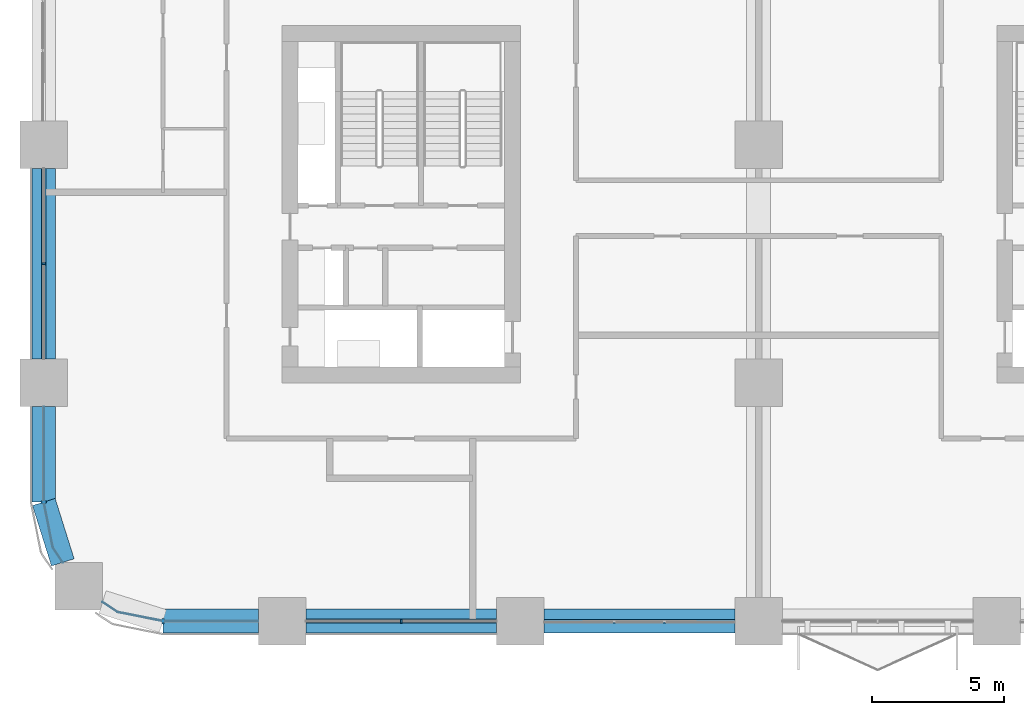
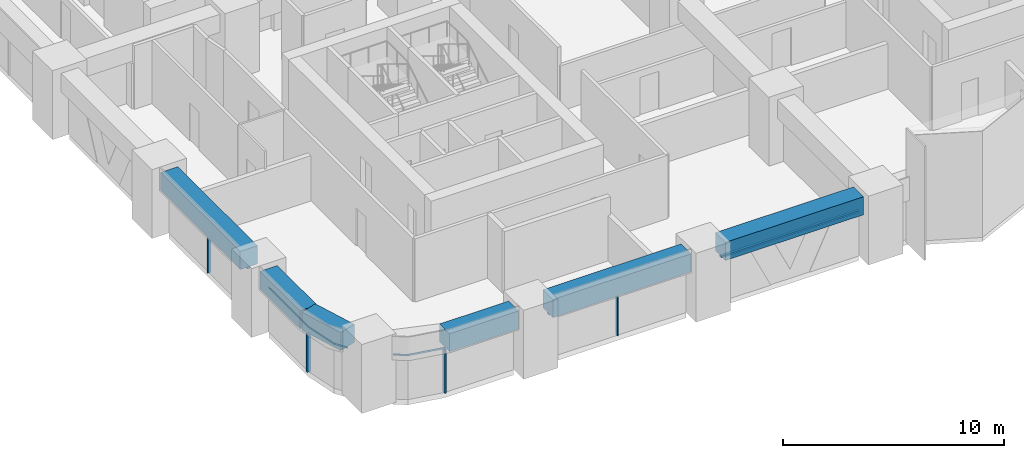
# One storey, part 2 of 22: 9 members, 6 beams, 5 elements without a shape of their own.
"""IFC4 building model written with IfcOpenShell, lengths in metres."""

from ifc_helpers import new_model, si_unit, direction, frame, origin, origin_2d, place, context, subcontext, project, spatial, polyline, rectangle, outline, extrude, material, material_profile, profile_set, type_object, element, aggregate, save


model = new_model("IFC4")

# Units and contexts
model_context = context("Model", 3, precision=1e-05, world=origin(), true_north=direction((0.0, 1.0)))
body_context = subcontext(model_context, "Body", "Model", "MODEL_VIEW")
ifc_project = project(units=[si_unit("LENGTHUNIT", "METRE"), si_unit("AREAUNIT", "SQUARE_METRE"), si_unit("VOLUMEUNIT", "CUBIC_METRE"), si_unit("PLANEANGLEUNIT", "RADIAN"), si_unit("MASSUNIT", "GRAM", prefix="KILO")], contexts=[model_context])

# Site, building, storey
site_placement = place(None, origin())
site = spatial("IfcSite", under=ifc_project, at=site_placement, CompositionType="ELEMENT")
building_placement = place(site_placement, origin())
building = spatial("IfcBuilding", under=site, at=building_placement, Name="Tessera Arch", CompositionType="ELEMENT")
storey_placement = place(building_placement, frame((0.0, 0.0, 53.800048828125)))
storey = spatial("IfcBuildingStorey", under=building, at=storey_placement, Name="L11", CompositionType="ELEMENT", Elevation=53.800048828125)

# Curtain wall, member
ifc_material_1 = material(Name="CW1 curtain wall")
curtain_wall_type_1 = type_object("IfcCurtainWallType", Name="CW1 curtain wall", PredefinedType="NOTDEFINED", material=ifc_material_1)
curtain_wall_1_placement = place(storey_placement, origin())
curtain_wall_1 = element("IfcCurtainWall", 1, at=curtain_wall_1_placement, inside=storey, type_object=curtain_wall_type_1, Name="CW1 curtain wall S0.0/0 L11", PredefinedType="NOTDEFINED")
ifc_material_2 = material(Name="Anodised aluminium pale metal", Category="aluminium")
ifc_material_profile_1 = material_profile(ifc_material_2, rectangle(XDim=0.159912109375, YDim=0.06005859375, at=origin_2d()), Name="AL 60x160")
ifc_profile_set_1 = profile_set([ifc_material_profile_1], Name="Anodised aluminium pale metal")
member_type_1 = type_object("IfcMemberType", Name="CW1 mullion", PredefinedType="MULLION", material=ifc_profile_set_1)
member_1_placement = place(storey_placement, frame((13.5, 0.0, 0.0), z_axis=(0.0, 0.0, 1.0), x_axis=(0.0, 1.0, 0.0)))
member_1 = element("IfcMember", 2, at=member_1_placement, type_object=member_type_1, Name="CW1 mullion S0.0/0 1", PredefinedType="MULLION", context=body_context, shape_type="SweptSolid", body=[
    extrude(rectangle(XDim=0.159912109375, YDim=0.06005859375, at=origin_2d()), origin(), (0.0, 0.0, 1.0), 2.39990234375),
])

curtain_wall_2_placement = place(storey_placement, origin())
curtain_wall_2 = element("IfcCurtainWall", 3, at=curtain_wall_2_placement, inside=storey, type_object=curtain_wall_type_1, Name="CW1 curtain wall W0.0/4 L11", PredefinedType="NOTDEFINED")
member_2_placement = place(storey_placement, frame((0.0, 13.5, 0.0), z_axis=(0.0, 0.0, 1.0), x_axis=(1.0, 0.0, 0.0)))
member_2 = element("IfcMember", 4, at=member_2_placement, type_object=member_type_1, Name="CW1 mullion W0.0/4 1", PredefinedType="MULLION", context=body_context, shape_type="SweptSolid", body=[
    extrude(rectangle(XDim=0.159912109375, YDim=0.06005859375, at=origin_2d()), origin(), (0.0, 0.0, 1.0), 2.39990234375),
])

# Member
ifc_material_3 = material(Name="Anodised aluminium pale metal", Category="aluminium")
ifc_material_profile_2 = material_profile(ifc_material_3, rectangle(XDim=0.159912109375, YDim=0.10009765625, at=origin_2d()), Name="AL 160x100")
ifc_profile_set_2 = profile_set([ifc_material_profile_2], Name="Anodised aluminium pale metal")
member_type_2 = type_object("IfcMemberType", Name="CW1 transom", PredefinedType="USERDEFINED", material=ifc_profile_set_2)
member_3_placement = place(storey_placement, frame((9.89990234375, 0.0, 2.449951171875), z_axis=(1.0, 0.0, 0.0), x_axis=(0.0, 1.0, 0.0)))
member_3 = element("IfcMember", 5, at=member_3_placement, type_object=member_type_2, Name="CW1 transom S0.0/0 1.1", ObjectType="TRANSOM", PredefinedType="USERDEFINED", context=body_context, shape_type="SweptSolid", body=[
    extrude(rectangle(XDim=0.159912109375, YDim=0.10009765625, at=origin_2d()), origin(), (0.0, 0.0, 1.0), 7.2001953125),
])

aggregate(curtain_wall_1, [member_1, member_3])

member_4_placement = place(storey_placement, frame((0.0, 17.10009765625, 2.449951171875), z_axis=(0.0, -1.0, 0.0), x_axis=(1.0, 0.0, 0.0)))
member_4 = element("IfcMember", 6, at=member_4_placement, type_object=member_type_2, Name="CW1 transom W0.0/4 1.1", ObjectType="TRANSOM", PredefinedType="USERDEFINED", context=body_context, shape_type="SweptSolid", body=[
    extrude(rectangle(XDim=0.159912109375, YDim=0.10009765625, at=origin_2d()), origin(), (0.0, 0.0, 1.0), 7.2001953125),
])

aggregate(curtain_wall_2, [member_2, member_4])

# Curtain wall, member
ifc_material_4 = material(Name="CW2 curtain wall")
curtain_wall_type_2 = type_object("IfcCurtainWallType", Name="CW2 curtain wall", PredefinedType="NOTDEFINED", material=ifc_material_4)
curtain_wall_3_placement = place(storey_placement, origin())
curtain_wall_3 = element("IfcCurtainWall", 7, at=curtain_wall_3_placement, inside=storey, type_object=curtain_wall_type_2, Name="CW2 curtain wall W0.0/5 L11", PredefinedType="NOTDEFINED")
ifc_material_5 = material(Name="Anodised aluminium pale metal", Category="aluminium")
ifc_material_profile_3 = material_profile(ifc_material_5, rectangle(XDim=0.199951171875, YDim=0.080078125, at=origin_2d()), Name="AL 80x200")
ifc_profile_set_3 = profile_set([ifc_material_profile_3], Name="Anodised aluminium pale metal")
member_type_3 = type_object("IfcMemberType", Name="CW2 mullion", PredefinedType="MULLION", material=ifc_profile_set_3)
member_5_placement = place(storey_placement, frame((0.0, 4.5, 0.0), z_axis=(0.0, 0.0, 1.0), x_axis=(1.0, 0.0, 0.0)))
member_5 = element("IfcMember", 8, at=member_5_placement, type_object=member_type_3, Name="CW2 mullion W0.0/5 1", PredefinedType="MULLION", context=body_context, shape_type="SweptSolid", body=[
    extrude(rectangle(XDim=0.199951171875, YDim=0.080078125, at=origin_2d()), origin(), (0.0, 0.0, 1.0), 2.39990234375),
])

curtain_wall_4_placement = place(storey_placement, origin())
curtain_wall_4 = element("IfcCurtainWall", 9, at=curtain_wall_4_placement, inside=storey, type_object=curtain_wall_type_2, Name="CW2 curtain wall S0.0/5 L11", PredefinedType="NOTDEFINED")
member_6_placement = place(storey_placement, frame((4.5, 0.0, 0.0), z_axis=(0.0, 0.0, 1.0), x_axis=(0.0, 1.0, 0.0)))
member_6 = element("IfcMember", 10, at=member_6_placement, type_object=member_type_3, Name="CW2 mullion S0.0/5 1", PredefinedType="MULLION", context=body_context, shape_type="SweptSolid", body=[
    extrude(rectangle(XDim=0.199951171875, YDim=0.080078125, at=origin_2d()), origin(), (0.0, 0.0, 1.0), 2.39990234375),
])

# Member
ifc_material_6 = material(Name="Anodised aluminium pale metal", Category="aluminium")
ifc_material_profile_4 = material_profile(ifc_material_6, rectangle(XDim=0.199951171875, YDim=0.10009765625, at=origin_2d()), Name="AL 200x100")
ifc_profile_set_4 = profile_set([ifc_material_profile_4], Name="Anodised aluminium pale metal")
member_type_4 = type_object("IfcMemberType", Name="CW2 transom", PredefinedType="USERDEFINED", material=ifc_profile_set_4)
member_7_placement = place(storey_placement, frame((0.0, 0.0, 2.39990234375)))
member_7 = element("IfcMember", 11, at=member_7_placement, type_object=member_type_4, Name="CW2 transom W0.0/5 1", ObjectType="TRANSOM", PredefinedType="USERDEFINED", context=body_context, shape_type="SweptSolid", body=[
    extrude(outline(polyline([(0.010009765625, 4.5009765625), (0.010009765625, 8.10009765625), (-0.010009765625, 8.10009765625), (-0.010009765625, 4.4990234375), (0.3330078125, 2.77392578125), (0.70849609375, 2.21240234375), (0.72509765625, 2.2236328125), (0.351806640625, 2.78173828125), (0.010009765625, 4.5009765625)])), origin(), (0.0, 0.0, 1.0), 0.10009765625),
])

aggregate(curtain_wall_3, [member_5, member_7])

member_8_placement = place(storey_placement, frame((0.0, 0.0, 2.39990234375)))
member_8 = element("IfcMember", 12, at=member_8_placement, type_object=member_type_4, Name="CW2 transom S0.0/5 1", ObjectType="TRANSOM", PredefinedType="USERDEFINED", context=body_context, shape_type="SweptSolid", body=[
    extrude(outline(polyline([(2.78173828125, 0.351806640625), (2.2236328125, 0.72509765625), (2.21240234375, 0.70849609375), (2.77392578125, 0.3330078125), (4.4990234375, -0.010009765625), (8.10009765625, -0.010009765625), (8.10009765625, 0.010009765625), (4.5009765625, 0.010009765625), (2.78173828125, 0.351806640625)])), origin(), (0.0, 0.0, 1.0), 0.10009765625),
])

aggregate(curtain_wall_4, [member_6, member_8])

# Curtain wall, member
ifc_material_7 = material(Name="CW3 curtain wall")
curtain_wall_type_3 = type_object("IfcCurtainWallType", Name="CW3 curtain wall", PredefinedType="NOTDEFINED", material=ifc_material_7)
curtain_wall_5_placement = place(storey_placement, origin())
curtain_wall_5 = element("IfcCurtainWall", 13, at=curtain_wall_5_placement, inside=storey, type_object=curtain_wall_type_3, Name="CW3 curtain wall S0.0/1 L11", PredefinedType="NOTDEFINED")
ifc_material_8 = material(Name="Anodised aluminium pale metal", Category="aluminium")
ifc_material_profile_5 = material_profile(ifc_material_8, rectangle(XDim=0.139892578125, YDim=0.10009765625, at=origin_2d()), Name="AL 140x100")
ifc_profile_set_5 = profile_set([ifc_material_profile_5], Name="Anodised aluminium pale metal")
member_type_5 = type_object("IfcMemberType", Name="CW3 transom", PredefinedType="USERDEFINED", material=ifc_profile_set_5)
member_9_placement = place(storey_placement, frame((18.89990234375, 0.0, 2.449951171875), z_axis=(1.0, 0.0, 0.0), x_axis=(0.0, 1.0, 0.0)))
member_9 = element("IfcMember", 14, at=member_9_placement, type_object=member_type_5, Name="CW3 transom S0.0/1 1.1", ObjectType="TRANSOM", PredefinedType="USERDEFINED", context=body_context, shape_type="SweptSolid", body=[
    extrude(rectangle(XDim=0.139892578125, YDim=0.10009765625, at=origin_2d()), origin(), (0.0, 0.0, 1.0), 7.2001953125),
])
aggregate(curtain_wall_5, [member_9])

# Beams
ifc_material_9 = material(Name="Concrete C80/95", Category="concrete")
ifc_material_profile_6 = material_profile(ifc_material_9, rectangle(XDim=0.89990234375, YDim=1.0, at=origin_2d()), Name="RC spandrel beam 900 x 1000 Concrete C80/95")
ifc_profile_set_6 = profile_set([ifc_material_profile_6], Name="Concrete C80/95")
beam_type = type_object("IfcBeamType", Name="RC spandrel beam 900 x 1000 Concrete C80/95", PredefinedType="BEAM", material=ifc_profile_set_6)
for number, where, z_axis, x_axis, name in (
    (15, (9.89990234375, 0.0, 3.0), (1.0, 0.0, 0.0), (0.0, 1.0, 0.0), "Spandrel beam L11 S0.0/0"),
    (16, (18.89990234375, 0.0, 3.0), (1.0, 0.0, 0.0), (0.0, 1.0, 0.0), "Spandrel beam L11 S0.0/1"),
    (17, (0.0, 17.10009765625, 3.0), (0.0, -1.0, 0.0), (1.0, 0.0, 0.0), "Spandrel beam L11 W0.0/4"),
):
    element("IfcBeam", number, at=place(storey_placement, frame(where, z_axis=z_axis, x_axis=x_axis)), inside=storey, type_object=beam_type, Name=name, PredefinedType="BEAM", context=body_context, shape_type="SweptSolid", body=[
        extrude(rectangle(XDim=0.89990234375, YDim=1.0, at=origin_2d()), origin(), (0.0, 0.0, 1.0), 7.2001953125),
    ])
beam_1_placement = place(storey_placement, frame((0.0, 8.10009765625, 3.0), z_axis=(0.0, -1.0, 0.0), x_axis=(1.0, 0.0, 0.0)))
element("IfcBeam", 18, at=beam_1_placement, inside=storey, type_object=beam_type, Name="Spandrel beam L11 W0.0/5.1", PredefinedType="BEAM", context=body_context, shape_type="SweptSolid", body=[
    extrude(rectangle(XDim=0.89990234375, YDim=1.0, at=origin_2d()), origin(), (0.0, 0.0, 1.0), 3.60009765625),
])
beam_2_placement = place(storey_placement, frame((0.0, 4.5, 3.0), z_axis=(0.299675309057, -0.954041251279, 0.0), x_axis=(0.954041251279, 0.299675309057, 0.0)))
element("IfcBeam", 19, at=beam_2_placement, inside=storey, type_object=beam_type, Name="Spandrel beam L11 W0.0/5.2", PredefinedType="BEAM", context=body_context, shape_type="SweptSolid", body=[
    extrude(rectangle(XDim=0.89990234375, YDim=1.0, at=origin_2d()), origin(), (0.0, 0.0, 1.0), 2.391845703125),
])
beam_3_placement = place(storey_placement, frame((4.5, 0.0, 3.0), z_axis=(1.0, 0.0, 0.0), x_axis=(0.0, 1.0, 0.0)))
element("IfcBeam", 20, at=beam_3_placement, inside=storey, type_object=beam_type, Name="Spandrel beam L11 S0.0/5.2", PredefinedType="BEAM", context=body_context, shape_type="SweptSolid", body=[
    extrude(rectangle(XDim=0.89990234375, YDim=1.0, at=origin_2d()), origin(), (0.0, 0.0, 1.0), 3.60009765625),
])

save(model, "model.ifc")
